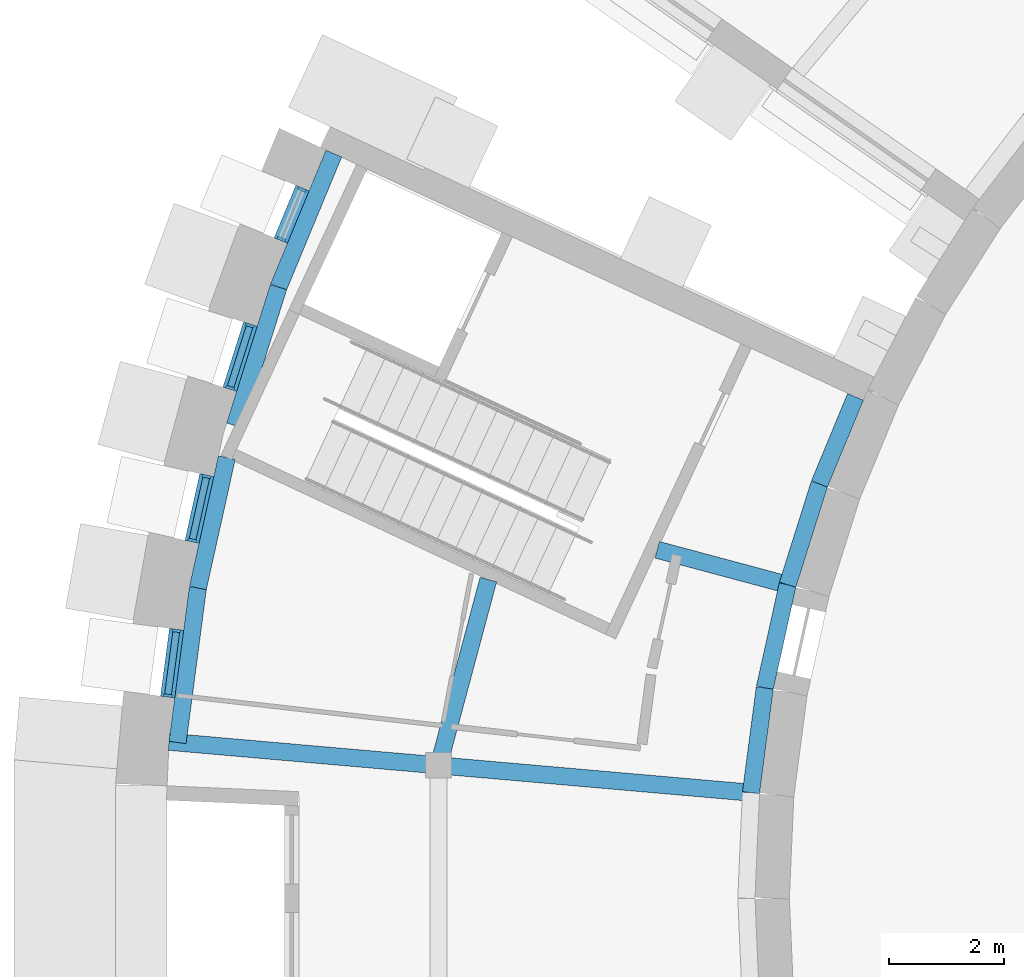
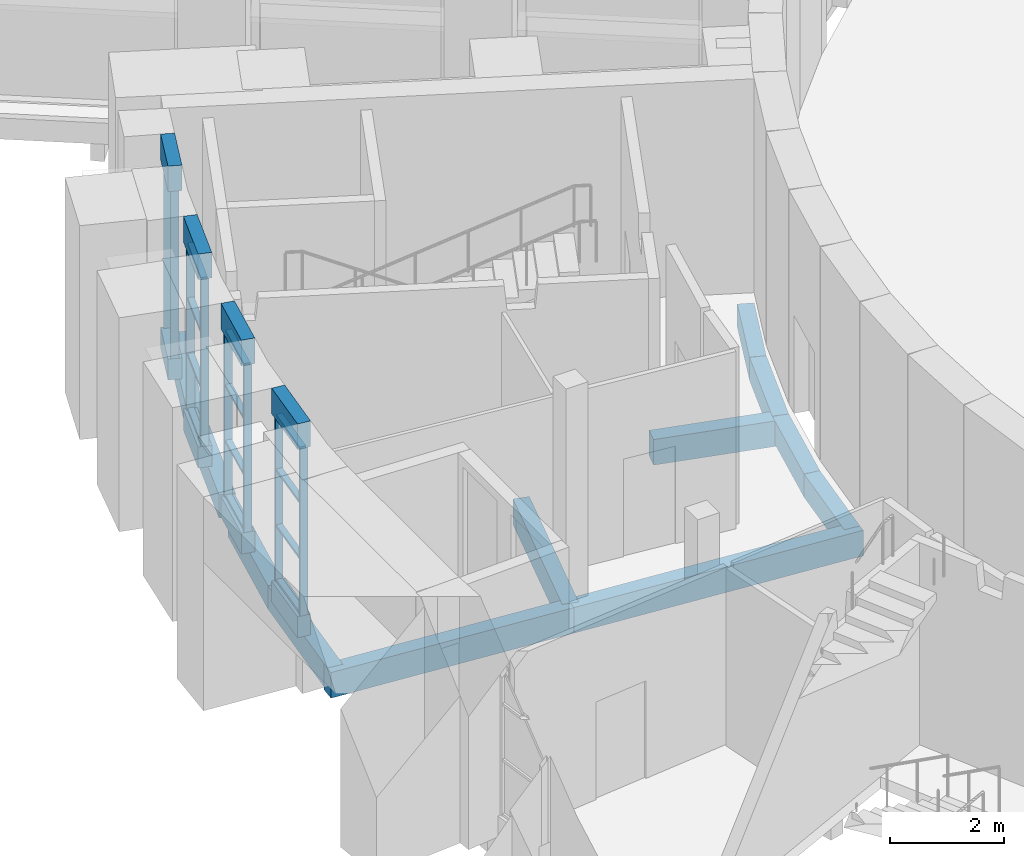
# One storey, part 8 of 85: 20 beams, 20 members, 4 elements without a shape of their own.
"""IFC4 building model written with IfcOpenShell, lengths in metres."""

from ifc_helpers import new_model, si_unit, direction, frame, origin, origin_2d, place, context, subcontext, project, spatial, rectangle, extrude, material, layer, layer_set, material_profile, profile_set, type_object, element, aggregate, save


model = new_model("IFC4")

# Units and contexts
model_context = context("Model", 3, precision=1e-05, world=origin(), true_north=direction((0.0, 1.0)))
body_context = subcontext(model_context, "Body", "Model", "MODEL_VIEW")
ifc_project = project(units=[si_unit("LENGTHUNIT", "METRE"), si_unit("AREAUNIT", "SQUARE_METRE"), si_unit("VOLUMEUNIT", "CUBIC_METRE"), si_unit("PLANEANGLEUNIT", "RADIAN"), si_unit("MASSUNIT", "GRAM", prefix="KILO")], contexts=[model_context])

# Site, building, storey
site_placement = place(None, origin())
site = spatial("IfcSite", under=ifc_project, at=site_placement, CompositionType="ELEMENT")
building_placement = place(site_placement, origin())
building = spatial("IfcBuilding", under=site, at=building_placement, Name="Volute Hill Aquarium", CompositionType="ELEMENT")
storey_placement = place(building_placement, origin())
storey = spatial("IfcBuildingStorey", under=building, at=storey_placement, Name="L01", CompositionType="ELEMENT", Elevation=0.0)

# Beams
ifc_material_1 = material(Name="Concrete C35/45", Category="concrete")
ifc_material_profile_1 = material_profile(ifc_material_1, rectangle(XDim=0.300048828125, YDim=0.550048828125, at=origin_2d()), Name="RC beam 300x550")
ifc_profile_set_1 = profile_set([ifc_material_profile_1], Name="Concrete C35/45")
beam_type_1 = type_object("IfcBeamType", Name="Beam 300x550 C35/45", PredefinedType="BEAM", material=ifc_profile_set_1)
beam_1_placement = place(storey_placement, frame((-20.284423828125, 5.435302734375, -0.4951171875), z_axis=(-0.965945009114, 0.258747443212, 0.0), x_axis=(-0.258747443212, -0.965945009114, 0.0)))
element("IfcBeam", 1, at=beam_1_placement, inside=storey, type_object=beam_type_1, Name="bm/S1/L01/rad1.1", PredefinedType="BEAM", context=body_context, shape_type="SweptSolid", body=[
    extrude(rectangle(XDim=0.300048828125, YDim=0.550048828125, at=origin_2d()), origin(), (0.0, 0.0, 1.0), 2.507080078125),
])
beam_2_placement = place(storey_placement, frame((-20.920166015625, 1.830322265625, -0.4951171875), z_axis=(-0.996194848095, 0.087154028188, 0.0), x_axis=(-0.087154028188, -0.996194848095, 0.0)))
element("IfcBeam", 2, at=beam_2_placement, inside=storey, type_object=beam_type_1, Name="bm/S1/L01/rad2.2", PredefinedType="BEAM", context=body_context, shape_type="SweptSolid", body=[
    extrude(rectangle(XDim=0.300048828125, YDim=0.550048828125, at=origin_2d()), origin(), (0.0, 0.0, 1.0), 5.625),
])
beam_3_placement = place(storey_placement, frame((-26.523681640625, 2.320556640625, -0.4951171875), z_axis=(-0.996193717496, 0.087166950281, 0.0), x_axis=(-0.087166950281, -0.996193717496, 0.0)))
element("IfcBeam", 3, at=beam_3_placement, inside=storey, type_object=beam_type_1, Name="bm/S1/L01/rad2.3", PredefinedType="BEAM", context=body_context, shape_type="SweptSolid", body=[
    extrude(rectangle(XDim=0.300048828125, YDim=0.550048828125, at=origin_2d()), origin(), (0.0, 0.0, 1.0), 4.72509765625),
])
beam_4_placement = place(storey_placement, frame((-25.65478515625, 5.5634765625, -0.4951171875), z_axis=(-0.258807570436, -0.965928900844, 0.0), x_axis=(0.965928900844, -0.258807570436, 0.0)))
element("IfcBeam", 4, at=beam_4_placement, inside=storey, type_object=beam_type_1, Name="bm/S1/L01/ring1.7", PredefinedType="BEAM", context=body_context, shape_type="SweptSolid", body=[
    extrude(rectangle(XDim=0.300048828125, YDim=0.550048828125, at=origin_2d()), origin(), (0.0, 0.0, 1.0), 3.357421875),
])

# Curtain wall, members
ifc_material_2 = material(Name="Aluminium", Category="aluminium")
ifc_layer_1 = layer(ifc_material_2, 0.25)
ifc_layer_set_1 = layer_set([ifc_layer_1], Name="Curtain wall niche S1 module 993")
curtain_wall_type_1 = type_object("IfcCurtainWallType", Name="Curtain wall niche S1 module 993", PredefinedType="NOTDEFINED", material=ifc_layer_set_1)
curtain_wall_1_placement = place(storey_placement, origin())
curtain_wall_1 = element("IfcCurtainWall", 5, at=curtain_wall_1_placement, inside=storey, type_object=curtain_wall_type_1, Name="Curtain wall CW S1 L01 1", PredefinedType="NOTDEFINED")
ifc_material_3 = material(Name="Aluminium", Category="aluminium")
ifc_material_profile_2 = material_profile(ifc_material_3, rectangle(XDim=0.14990234375, YDim=0.050048828125, at=origin_2d()), Name="Curtain wall mullion S1 50x150")
ifc_profile_set_2 = profile_set([ifc_material_profile_2], Name="Aluminium")
member_type_1 = type_object("IfcMemberType", Name="Curtain wall mullion S1 50x150", PredefinedType="MULLION", material=ifc_profile_set_2)
member_1_placement = place(storey_placement, frame((-28.9091796875, 12.37646484375, 0.449951171875), z_axis=(0.0, 0.0, 1.0), x_axis=(0.923885219671, -0.382669702059, 0.0)))
member_1 = element("IfcMember", 6, at=member_1_placement, type_object=member_type_1, Name="CW mullion 1", PredefinedType="MULLION", context=body_context, shape_type="SweptSolid", body=[
    extrude(rectangle(XDim=0.14990234375, YDim=0.050048828125, at=origin_2d()), origin(), (0.0, 0.0, 1.0), 3.60009765625),
])
member_2_placement = place(storey_placement, frame((-29.269775390625, 11.50537109375, 0.449951171875), z_axis=(0.0, 0.0, 1.0), x_axis=(0.923885219671, -0.382669702059, 0.0)))
member_2 = element("IfcMember", 7, at=member_2_placement, type_object=member_type_1, Name="CW mullion 2", PredefinedType="MULLION", context=body_context, shape_type="SweptSolid", body=[
    extrude(rectangle(XDim=0.14990234375, YDim=0.050048828125, at=origin_2d()), origin(), (0.0, 0.0, 1.0), 3.60009765625),
])
aggregate(curtain_wall_1, [member_1, member_2])

ifc_material_4 = material(Name="Aluminium", Category="aluminium")
ifc_layer_2 = layer(ifc_material_4, 0.25)
ifc_layer_set_2 = layer_set([ifc_layer_2], Name="Curtain wall niche S1 module 1193")
curtain_wall_type_2 = type_object("IfcCurtainWallType", Name="Curtain wall niche S1 module 1193", PredefinedType="NOTDEFINED", material=ifc_layer_set_2)
curtain_wall_2_placement = place(storey_placement, origin())
curtain_wall_2 = element("IfcCurtainWall", 8, at=curtain_wall_2_placement, inside=storey, type_object=curtain_wall_type_2, Name="Curtain wall CW S1 L01 2", PredefinedType="NOTDEFINED")
member_3_placement = place(storey_placement, frame((-29.817626953125, 10.00048828125, 0.449951171875), z_axis=(0.0, 0.0, 1.0), x_axis=(0.953718126577, -0.300702070227, 0.0)))
member_3 = element("IfcMember", 9, at=member_3_placement, type_object=member_type_1, Name="CW mullion 1", PredefinedType="MULLION", context=body_context, shape_type="SweptSolid", body=[
    extrude(rectangle(XDim=0.14990234375, YDim=0.050048828125, at=origin_2d()), origin(), (0.0, 0.0, 1.0), 3.60009765625),
])
member_4_placement = place(storey_placement, frame((-30.1611328125, 8.910400390625, 0.449951171875), z_axis=(0.0, 0.0, 1.0), x_axis=(0.953718126577, -0.300702070227, 0.0)))
member_4 = element("IfcMember", 10, at=member_4_placement, type_object=member_type_1, Name="CW mullion 2", PredefinedType="MULLION", context=body_context, shape_type="SweptSolid", body=[
    extrude(rectangle(XDim=0.14990234375, YDim=0.050048828125, at=origin_2d()), origin(), (0.0, 0.0, 1.0), 3.60009765625),
])

curtain_wall_3_placement = place(storey_placement, origin())
curtain_wall_3 = element("IfcCurtainWall", 11, at=curtain_wall_3_placement, inside=storey, type_object=curtain_wall_type_2, Name="Curtain wall CW S1 L01 3", PredefinedType="NOTDEFINED")
member_5_placement = place(storey_placement, frame((-30.57568359375, 7.36376953125, 0.449951171875), z_axis=(0.0, 0.0, 1.0), x_axis=(0.976291877741, -0.216458239523, 0.0)))
member_5 = element("IfcMember", 12, at=member_5_placement, type_object=member_type_1, Name="CW mullion 1", PredefinedType="MULLION", context=body_context, shape_type="SweptSolid", body=[
    extrude(rectangle(XDim=0.14990234375, YDim=0.050048828125, at=origin_2d()), origin(), (0.0, 0.0, 1.0), 3.60009765625),
])
member_6_placement = place(storey_placement, frame((-30.822998046875, 6.247802734375, 0.449951171875), z_axis=(0.0, 0.0, 1.0), x_axis=(0.976291877741, -0.216458239523, 0.0)))
member_6 = element("IfcMember", 13, at=member_6_placement, type_object=member_type_1, Name="CW mullion 2", PredefinedType="MULLION", context=body_context, shape_type="SweptSolid", body=[
    extrude(rectangle(XDim=0.14990234375, YDim=0.050048828125, at=origin_2d()), origin(), (0.0, 0.0, 1.0), 3.60009765625),
])

curtain_wall_4_placement = place(storey_placement, origin())
curtain_wall_4 = element("IfcCurtainWall", 14, at=curtain_wall_4_placement, inside=storey, type_object=curtain_wall_type_2, Name="Curtain wall CW S1 L01 4", PredefinedType="NOTDEFINED")
member_7_placement = place(storey_placement, frame((-31.10107421875, 4.6708984375, 0.449951171875), z_axis=(0.0, 0.0, 1.0), x_axis=(0.991444135436, -0.130531706148, 0.0)))
member_7 = element("IfcMember", 15, at=member_7_placement, type_object=member_type_1, Name="CW mullion 1", PredefinedType="MULLION", context=body_context, shape_type="SweptSolid", body=[
    extrude(rectangle(XDim=0.14990234375, YDim=0.050048828125, at=origin_2d()), origin(), (0.0, 0.0, 1.0), 3.60009765625),
])
member_8_placement = place(storey_placement, frame((-31.250244140625, 3.53759765625, 0.449951171875), z_axis=(0.0, 0.0, 1.0), x_axis=(0.991444135436, -0.130531706148, 0.0)))
member_8 = element("IfcMember", 16, at=member_8_placement, type_object=member_type_1, Name="CW mullion 2", PredefinedType="MULLION", context=body_context, shape_type="SweptSolid", body=[
    extrude(rectangle(XDim=0.14990234375, YDim=0.050048828125, at=origin_2d()), origin(), (0.0, 0.0, 1.0), 3.60009765625),
])

# Member
ifc_material_5 = material(Name="Aluminium", Category="aluminium")
ifc_material_profile_3 = material_profile(ifc_material_5, rectangle(XDim=0.1201171875, YDim=0.050048828125, at=origin_2d()), Name="Curtain wall transom S1 50x120")
ifc_profile_set_3 = profile_set([ifc_material_profile_3], Name="Aluminium")
member_type_2 = type_object("IfcMemberType", Name="Curtain wall transom S1 50x120", PredefinedType="USERDEFINED", material=ifc_profile_set_3)
member_9_placement = place(storey_placement, frame((-29.824951171875, 9.976806640625, 0.47509765625), z_axis=(-0.300639603165, -0.953737819848, 0.0), x_axis=(0.953737819848, -0.300639603165, 0.0)))
member_9 = element("IfcMember", 17, at=member_9_placement, type_object=member_type_2, Name="CW transom 1.1", ObjectType="TRANSOM", PredefinedType="USERDEFINED", context=body_context, shape_type="SweptSolid", body=[
    extrude(rectangle(XDim=0.1201171875, YDim=0.050048828125, at=origin_2d()), origin(), (0.0, 0.0, 1.0), 1.093017578125),
])

member_10_placement = place(storey_placement, frame((-29.824951171875, 9.976806640625, 1.64990234375), z_axis=(-0.300639603165, -0.953737819848, 0.0), x_axis=(0.953737819848, -0.300639603165, 0.0)))
member_10 = element("IfcMember", 18, at=member_10_placement, type_object=member_type_2, Name="CW transom 1.2", ObjectType="TRANSOM", PredefinedType="USERDEFINED", context=body_context, shape_type="SweptSolid", body=[
    extrude(rectangle(XDim=0.1201171875, YDim=0.050048828125, at=origin_2d()), origin(), (0.0, 0.0, 1.0), 1.093017578125),
])

member_11_placement = place(storey_placement, frame((-29.824951171875, 9.976806640625, 2.85009765625), z_axis=(-0.300639603165, -0.953737819848, 0.0), x_axis=(0.953737819848, -0.300639603165, 0.0)))
member_11 = element("IfcMember", 19, at=member_11_placement, type_object=member_type_2, Name="CW transom 1.3", ObjectType="TRANSOM", PredefinedType="USERDEFINED", context=body_context, shape_type="SweptSolid", body=[
    extrude(rectangle(XDim=0.1201171875, YDim=0.050048828125, at=origin_2d()), origin(), (0.0, 0.0, 1.0), 1.093017578125),
])

member_12_placement = place(storey_placement, frame((-29.824951171875, 9.976806640625, 4.02490234375), z_axis=(-0.300639603165, -0.953737819848, 0.0), x_axis=(0.953737819848, -0.300639603165, 0.0)))
member_12 = element("IfcMember", 20, at=member_12_placement, type_object=member_type_2, Name="CW transom 1.4", ObjectType="TRANSOM", PredefinedType="USERDEFINED", context=body_context, shape_type="SweptSolid", body=[
    extrude(rectangle(XDim=0.1201171875, YDim=0.050048828125, at=origin_2d()), origin(), (0.0, 0.0, 1.0), 1.093017578125),
])

aggregate(curtain_wall_2, [member_3, member_4, member_9, member_10, member_11, member_12])

member_13_placement = place(storey_placement, frame((-30.5810546875, 7.33935546875, 0.47509765625), z_axis=(-0.216433786926, -0.976297298919, 0.0), x_axis=(0.976297298919, -0.216433786926, 0.0)))
member_13 = element("IfcMember", 21, at=member_13_placement, type_object=member_type_2, Name="CW transom 1.1", ObjectType="TRANSOM", PredefinedType="USERDEFINED", context=body_context, shape_type="SweptSolid", body=[
    extrude(rectangle(XDim=0.1201171875, YDim=0.050048828125, at=origin_2d()), origin(), (0.0, 0.0, 1.0), 1.093017578125),
])

member_14_placement = place(storey_placement, frame((-30.5810546875, 7.33935546875, 1.64990234375), z_axis=(-0.216433786926, -0.976297298919, 0.0), x_axis=(0.976297298919, -0.216433786926, 0.0)))
member_14 = element("IfcMember", 22, at=member_14_placement, type_object=member_type_2, Name="CW transom 1.2", ObjectType="TRANSOM", PredefinedType="USERDEFINED", context=body_context, shape_type="SweptSolid", body=[
    extrude(rectangle(XDim=0.1201171875, YDim=0.050048828125, at=origin_2d()), origin(), (0.0, 0.0, 1.0), 1.093017578125),
])

member_15_placement = place(storey_placement, frame((-30.5810546875, 7.33935546875, 2.85009765625), z_axis=(-0.216433786926, -0.976297298919, 0.0), x_axis=(0.976297298919, -0.216433786926, 0.0)))
member_15 = element("IfcMember", 23, at=member_15_placement, type_object=member_type_2, Name="CW transom 1.3", ObjectType="TRANSOM", PredefinedType="USERDEFINED", context=body_context, shape_type="SweptSolid", body=[
    extrude(rectangle(XDim=0.1201171875, YDim=0.050048828125, at=origin_2d()), origin(), (0.0, 0.0, 1.0), 1.093017578125),
])

member_16_placement = place(storey_placement, frame((-30.5810546875, 7.33935546875, 4.02490234375), z_axis=(-0.216433786926, -0.976297298919, 0.0), x_axis=(0.976297298919, -0.216433786926, 0.0)))
member_16 = element("IfcMember", 24, at=member_16_placement, type_object=member_type_2, Name="CW transom 1.4", ObjectType="TRANSOM", PredefinedType="USERDEFINED", context=body_context, shape_type="SweptSolid", body=[
    extrude(rectangle(XDim=0.1201171875, YDim=0.050048828125, at=origin_2d()), origin(), (0.0, 0.0, 1.0), 1.093017578125),
])

aggregate(curtain_wall_3, [member_5, member_6, member_13, member_14, member_15, member_16])

member_17_placement = place(storey_placement, frame((-31.1044921875, 4.64599609375, 0.47509765625), z_axis=(-0.130466070399, -0.991452774707, 0.0), x_axis=(0.991452774707, -0.130466070399, 0.0)))
member_17 = element("IfcMember", 25, at=member_17_placement, type_object=member_type_2, Name="CW transom 1.1", ObjectType="TRANSOM", PredefinedType="USERDEFINED", context=body_context, shape_type="SweptSolid", body=[
    extrude(rectangle(XDim=0.1201171875, YDim=0.050048828125, at=origin_2d()), origin(), (0.0, 0.0, 1.0), 1.0927734375),
])

member_18_placement = place(storey_placement, frame((-31.1044921875, 4.64599609375, 1.64990234375), z_axis=(-0.130466070399, -0.991452774707, 0.0), x_axis=(0.991452774707, -0.130466070399, 0.0)))
member_18 = element("IfcMember", 26, at=member_18_placement, type_object=member_type_2, Name="CW transom 1.2", ObjectType="TRANSOM", PredefinedType="USERDEFINED", context=body_context, shape_type="SweptSolid", body=[
    extrude(rectangle(XDim=0.1201171875, YDim=0.050048828125, at=origin_2d()), origin(), (0.0, 0.0, 1.0), 1.0927734375),
])

member_19_placement = place(storey_placement, frame((-31.1044921875, 4.64599609375, 2.85009765625), z_axis=(-0.130466070399, -0.991452774707, 0.0), x_axis=(0.991452774707, -0.130466070399, 0.0)))
member_19 = element("IfcMember", 27, at=member_19_placement, type_object=member_type_2, Name="CW transom 1.3", ObjectType="TRANSOM", PredefinedType="USERDEFINED", context=body_context, shape_type="SweptSolid", body=[
    extrude(rectangle(XDim=0.1201171875, YDim=0.050048828125, at=origin_2d()), origin(), (0.0, 0.0, 1.0), 1.0927734375),
])

member_20_placement = place(storey_placement, frame((-31.1044921875, 4.64599609375, 4.02490234375), z_axis=(-0.130466070399, -0.991452774707, 0.0), x_axis=(0.991452774707, -0.130466070399, 0.0)))
member_20 = element("IfcMember", 28, at=member_20_placement, type_object=member_type_2, Name="CW transom 1.4", ObjectType="TRANSOM", PredefinedType="USERDEFINED", context=body_context, shape_type="SweptSolid", body=[
    extrude(rectangle(XDim=0.1201171875, YDim=0.050048828125, at=origin_2d()), origin(), (0.0, 0.0, 1.0), 1.0927734375),
])

aggregate(curtain_wall_4, [member_7, member_8, member_17, member_18, member_19, member_20])

# Beams
ifc_material_6 = material(Name="Concrete C35/45", Category="concrete")
ifc_material_profile_4 = material_profile(ifc_material_6, rectangle(XDim=0.300048828125, YDim=0.5, at=origin_2d()), Name="RC edge beam 300x500")
ifc_profile_set_4 = profile_set([ifc_material_profile_4], Name="Concrete C35/45")
beam_type_2 = type_object("IfcBeamType", Name="Edge beam 300x500 C35/45", PredefinedType="BEAM", material=ifc_profile_set_4)
beam_5_placement = place(storey_placement, frame((-19.2451171875, 8.75341796875, -0.469970703125), z_axis=(-0.382675169935, -0.923882954879, 0.0), x_axis=(0.923882954879, -0.382675169935, 0.0)))
element("IfcBeam", 29, at=beam_5_placement, inside=storey, type_object=beam_type_2, Name="bm/S1/L01/edgeD.10", PredefinedType="BEAM", context=body_context, shape_type="SweptSolid", body=[
    extrude(rectangle(XDim=0.300048828125, YDim=0.5, at=origin_2d()), origin(), (0.0, 0.0, 1.0), 1.644775390625),
])
for number, where, z_axis, x_axis, name in (
    (30, (-19.87451171875, 7.23388671875, -0.469970703125), (-0.300745072312, -0.953704567191, 0.0), (0.953704567191, -0.300745072312, 0.0), "bm/S1/L01/edgeD.11"),
    (31, (-20.429443359375, 5.47412109375, -0.469970703125), (-0.216454127071, -0.976292789523, 0.0), (0.976292789523, -0.216454127071, 0.0), "bm/S1/L01/edgeD.12"),
):
    element("IfcBeam", number, at=place(storey_placement, frame(where, z_axis=z_axis, x_axis=x_axis)), inside=storey, type_object=beam_type_2, Name=name, PredefinedType="BEAM", context=body_context, shape_type="SweptSolid", body=[
        extrude(rectangle(XDim=0.300048828125, YDim=0.5, at=origin_2d()), origin(), (0.0, 0.0, 1.0), 1.84521484375),
    ])
beam_6_placement = place(storey_placement, frame((-20.828857421875, 3.672607421875, -0.469970703125), z_axis=(-0.130481898303, -0.991450691772, 0.0), x_axis=(0.991450691772, -0.130481898303, 0.0)))
element("IfcBeam", 32, at=beam_6_placement, inside=storey, type_object=beam_type_2, Name="bm/S1/L01/edgeD.13", PredefinedType="BEAM", context=body_context, shape_type="SweptSolid", body=[
    extrude(rectangle(XDim=0.300048828125, YDim=0.5, at=origin_2d()), origin(), (0.0, 0.0, 1.0), 1.844970703125),
])
beam_7_placement = place(storey_placement, frame((-28.353271484375, 13.000732421875, -0.469970703125), z_axis=(-0.382696651633, -0.9238740568, 0.0), x_axis=(0.9238740568, -0.382696651633, 0.0)))
element("IfcBeam", 33, at=beam_7_placement, inside=storey, type_object=beam_type_2, Name="bm/S1/L01/edgeO.20", PredefinedType="BEAM", context=body_context, shape_type="SweptSolid", body=[
    extrude(rectangle(XDim=0.300048828125, YDim=0.5, at=origin_2d()), origin(), (0.0, 0.0, 1.0), 2.521728515625),
])
beam_8_placement = place(storey_placement, frame((-29.318359375, 10.6708984375, -0.469970703125), z_axis=(-0.300619958579, -0.953744012041, 0.0), x_axis=(0.953744012041, -0.300619958579, 0.0)))
element("IfcBeam", 34, at=beam_8_placement, inside=storey, type_object=beam_type_2, Name="bm/S1/L01/edgeO.21", PredefinedType="BEAM", context=body_context, shape_type="SweptSolid", body=[
    extrude(rectangle(XDim=0.300048828125, YDim=0.5, at=origin_2d()), origin(), (0.0, 0.0, 1.0), 2.536376953125),
])
beam_9_placement = place(storey_placement, frame((-30.221435546875, 7.69287109375, -0.469970703125), z_axis=(-0.216442353874, -0.976295399687, 0.0), x_axis=(0.976295399687, -0.216442353874, 0.0)))
element("IfcBeam", 35, at=beam_9_placement, inside=storey, type_object=beam_type_2, Name="bm/S1/L01/edgeO.22", PredefinedType="BEAM", context=body_context, shape_type="SweptSolid", body=[
    extrude(rectangle(XDim=0.300048828125, YDim=0.5, at=origin_2d()), origin(), (0.0, 0.0, 1.0), 2.330322265625),
])
beam_10_placement = place(storey_placement, frame((-30.725830078125, 5.417724609375, -0.469970703125), z_axis=(-0.130512520762, -0.991446661159, 0.0), x_axis=(0.991446661159, -0.130512520762, 0.0)))
element("IfcBeam", 36, at=beam_10_placement, inside=storey, type_object=beam_type_2, Name="bm/S1/L01/edgeO.23", PredefinedType="BEAM", context=body_context, shape_type="SweptSolid", body=[
    extrude(rectangle(XDim=0.300048828125, YDim=0.5, at=origin_2d()), origin(), (0.0, 0.0, 1.0), 2.7216796875),
])
ifc_material_7 = material(Name="Concrete C35/45", Category="concrete")
ifc_material_profile_5 = material_profile(ifc_material_7, rectangle(XDim=0.25, YDim=0.550048828125, at=origin_2d()), Name="RC beam 250x550")
ifc_profile_set_5 = profile_set([ifc_material_profile_5], Name="Concrete C35/45")
beam_type_3 = type_object("IfcBeamType", Name="Niche head beam RC 250x550 C35/45", PredefinedType="BEAM", material=ifc_profile_set_5)
beam_11_placement = place(storey_placement, frame((-28.8994140625, 12.3994140625, 4.324951171875), z_axis=(-0.382728331332, -0.923860933472, 0.0), x_axis=(0.923860933472, -0.382728331332, 0.0)))
element("IfcBeam", 37, at=beam_11_placement, inside=storey, type_object=beam_type_3, Name="Niche head beam OWB S1 L01 1", PredefinedType="BEAM", context=body_context, shape_type="SweptSolid", body=[
    extrude(rectangle(XDim=0.25, YDim=0.550048828125, at=origin_2d()), origin(), (0.0, 0.0, 1.0), 0.99267578125),
])
beam_12_placement = place(storey_placement, frame((-29.81005859375, 10.0244140625, 4.324951171875), z_axis=(-0.300651374737, -0.953734109104, 0.0), x_axis=(0.953734109104, -0.300651374737, 0.0)))
element("IfcBeam", 38, at=beam_12_placement, inside=storey, type_object=beam_type_3, Name="Niche head beam OWB S1 L01 2", PredefinedType="BEAM", context=body_context, shape_type="SweptSolid", body=[
    extrude(rectangle(XDim=0.25, YDim=0.550048828125, at=origin_2d()), origin(), (0.0, 0.0, 1.0), 1.19287109375),
])
beam_13_placement = place(storey_placement, frame((-30.5703125, 7.38818359375, 4.324951171875), z_axis=(-0.216302054747, -0.976326493091, 0.0), x_axis=(0.976326493091, -0.216302054747, 0.0)))
element("IfcBeam", 39, at=beam_13_placement, inside=storey, type_object=beam_type_3, Name="Niche head beam OWB S1 L01 3", PredefinedType="BEAM", context=body_context, shape_type="SweptSolid", body=[
    extrude(rectangle(XDim=0.25, YDim=0.550048828125, at=origin_2d()), origin(), (0.0, 0.0, 1.0), 1.193115234375),
])
beam_14_placement = place(storey_placement, frame((-31.097900390625, 4.695556640625, 4.324951171875), z_axis=(-0.13058157894, -0.991437568, 0.0), x_axis=(0.991437568, -0.13058157894, 0.0)))
element("IfcBeam", 40, at=beam_14_placement, inside=storey, type_object=beam_type_3, Name="Niche head beam OWB S1 L01 4", PredefinedType="BEAM", context=body_context, shape_type="SweptSolid", body=[
    extrude(rectangle(XDim=0.25, YDim=0.550048828125, at=origin_2d()), origin(), (0.0, 0.0, 1.0), 1.19287109375),
])
ifc_material_8 = material(Name="Concrete C35/45", Category="concrete")
ifc_material_profile_6 = material_profile(ifc_material_8, rectangle(XDim=0.25, YDim=0.449951171875, at=origin_2d()), Name="RC beam 250x450")
ifc_profile_set_6 = profile_set([ifc_material_profile_6], Name="Concrete C35/45")
beam_type_4 = type_object("IfcBeamType", Name="Niche sill beam RC 250x450 C35/45", PredefinedType="BEAM", material=ifc_profile_set_6)
beam_15_placement = place(storey_placement, frame((-28.8994140625, 12.3994140625, 0.22509765625), z_axis=(-0.382728331332, -0.923860933472, 0.0), x_axis=(0.923860933472, -0.382728331332, 0.0)))
element("IfcBeam", 41, at=beam_15_placement, inside=storey, type_object=beam_type_4, Name="Niche sill beam OWB S1 L01 1", PredefinedType="BEAM", context=body_context, shape_type="SweptSolid", body=[
    extrude(rectangle(XDim=0.25, YDim=0.449951171875, at=origin_2d()), origin(), (0.0, 0.0, 1.0), 0.99267578125),
])
beam_16_placement = place(storey_placement, frame((-29.81005859375, 10.0244140625, 0.22509765625), z_axis=(-0.300651374737, -0.953734109104, 0.0), x_axis=(0.953734109104, -0.300651374737, 0.0)))
element("IfcBeam", 42, at=beam_16_placement, inside=storey, type_object=beam_type_4, Name="Niche sill beam OWB S1 L01 2", PredefinedType="BEAM", context=body_context, shape_type="SweptSolid", body=[
    extrude(rectangle(XDim=0.25, YDim=0.449951171875, at=origin_2d()), origin(), (0.0, 0.0, 1.0), 1.19287109375),
])
beam_17_placement = place(storey_placement, frame((-30.5703125, 7.38818359375, 0.22509765625), z_axis=(-0.216302054747, -0.976326493091, 0.0), x_axis=(0.976326493091, -0.216302054747, 0.0)))
element("IfcBeam", 43, at=beam_17_placement, inside=storey, type_object=beam_type_4, Name="Niche sill beam OWB S1 L01 3", PredefinedType="BEAM", context=body_context, shape_type="SweptSolid", body=[
    extrude(rectangle(XDim=0.25, YDim=0.449951171875, at=origin_2d()), origin(), (0.0, 0.0, 1.0), 1.193115234375),
])
beam_18_placement = place(storey_placement, frame((-31.097900390625, 4.695556640625, 0.22509765625), z_axis=(-0.13058157894, -0.991437568, 0.0), x_axis=(0.991437568, -0.13058157894, 0.0)))
element("IfcBeam", 44, at=beam_18_placement, inside=storey, type_object=beam_type_4, Name="Niche sill beam OWB S1 L01 4", PredefinedType="BEAM", context=body_context, shape_type="SweptSolid", body=[
    extrude(rectangle(XDim=0.25, YDim=0.449951171875, at=origin_2d()), origin(), (0.0, 0.0, 1.0), 1.19287109375),
])

save(model, "model.ifc")
